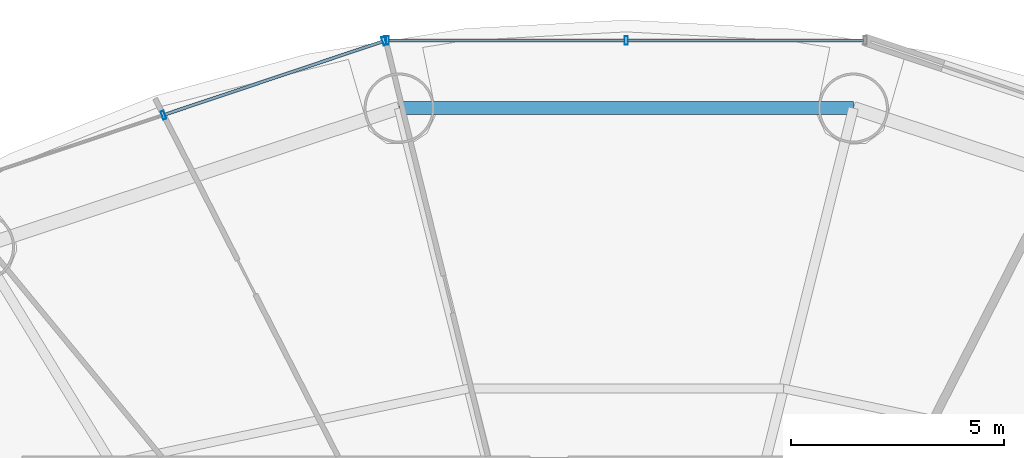
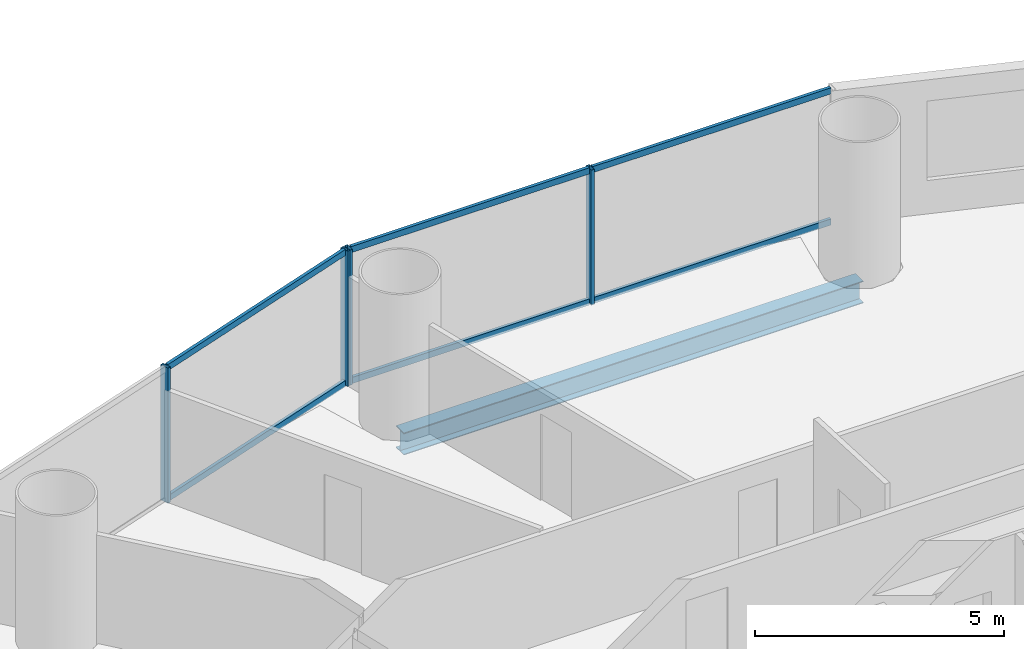
# One storey, part 17 of 29: 10 members, 1 beam, 2 elements without a shape of their own.
"""IFC4 building model written with IfcOpenShell, lengths in metres."""

from ifc_helpers import new_model, si_unit, direction, frame, origin, origin_2d, place, context, subcontext, project, spatial, hollow_rectangle, i_section, extrude, source, transform, mapped, material, material_profile, profile_set, type_object, element, aggregate, save


model = new_model("IFC4")

# Units and contexts
model_context = context("Model", 3, precision=1e-05, world=origin(), true_north=direction((-0.2419218956, 0.970295726276)))
body_context = subcontext(model_context, "Body", "Model", "MODEL_VIEW")
ifc_project = project(units=[si_unit("LENGTHUNIT", "METRE"), si_unit("AREAUNIT", "SQUARE_METRE"), si_unit("VOLUMEUNIT", "CUBIC_METRE"), si_unit("PLANEANGLEUNIT", "RADIAN"), si_unit("MASSUNIT", "GRAM", prefix="KILO")], contexts=[model_context])

# Site, building, storey
site_placement = place(None, origin())
site = spatial("IfcSite", under=ifc_project, at=site_placement, CompositionType="ELEMENT")
building_placement = place(site_placement, origin())
building = spatial("IfcBuilding", under=site, at=building_placement, Name="Cobrevalo Terracotta Tower", CompositionType="ELEMENT")
storey_placement = place(building_placement, frame((0.0, 0.0, 45.60009765625)))
storey = spatial("IfcBuildingStorey", under=building, at=storey_placement, Name="L11", CompositionType="ELEMENT", Elevation=45.60009765625)

# Beam
ifc_material_1 = material(Name="Steel S355", Category="steel")
ifc_material_profile_1 = material_profile(ifc_material_1, i_section(OverallWidth=0.31201171875, OverallDepth=0.54296875, WebThickness=0.0126953125, FlangeThickness=0.020263671875, at=origin_2d()), Name="W 530x150")
ifc_profile_set_1 = profile_set([ifc_material_profile_1], Name="Steel S355")
beam_type = type_object("IfcBeamType", Name="Structural Spandrel W 530x150 (Steel S355)", PredefinedType="SPANDREL", material=ifc_profile_set_1)
beam_placement = place(storey_placement, frame((43.335693359375, 48.230224609375, -0.551513671875), z_axis=(-1.0, 0.0, 0.0), x_axis=(0.0, -1.0, 0.0)))
element("IfcBeam", 1, at=beam_placement, inside=storey, type_object=beam_type, Name="L11 perimeter ring spandrel 04", PredefinedType="SPANDREL", context=body_context, shape_type="SweptSolid", body=[
    extrude(i_section(OverallWidth=0.31201171875, OverallDepth=0.54296875, WebThickness=0.0126953125, FlangeThickness=0.020263671875, at=origin_2d()), origin(), (0.0, 0.0, 1.0), 10.67138671875),
])

# Curtain wall, members
ifc_material_2 = material(Name="Anodized aluminium", Category="aluminium")
curtain_wall_type = type_object("IfcCurtainWallType", Name="Lower-tower unitised acoustic low-E curtain wall CW-U1", PredefinedType="NOTDEFINED", material=ifc_material_2)
curtain_wall_1_placement = place(storey_placement, origin())
curtain_wall_1 = element("IfcCurtainWall", 2, at=curtain_wall_1_placement, inside=storey, type_object=curtain_wall_type, Name="L11 curtain wall CW-L11-S05", PredefinedType="NOTDEFINED")
ifc_material_profile_2 = material_profile(ifc_material_2, hollow_rectangle(XDim=0.074951171875, YDim=0.14990234375, WallThickness=0.00439453125, at=origin_2d()), Name="CWT 75x150")
ifc_profile_set_2 = profile_set([ifc_material_profile_2], Name="Anodized aluminium")
member_type_1 = type_object("IfcMemberType", Name="Tower unitised aluminium transom 75x150", PredefinedType="USERDEFINED", material=ifc_profile_set_2)
shared_shape_1 = source(origin(), body_context, "Body", "SweptSolid", [
    extrude(hollow_rectangle(XDim=0.074951171875, YDim=0.14990234375, WallThickness=0.00439453125, at=origin_2d()), origin(), (0.0, 0.0, 1.0), 5.387939453125),
])
member_1_placement = place(storey_placement, frame((32.2724609375, 49.793701171875, 0.0498046875), z_axis=(-0.94804244582, -0.318143868278, 0.0), x_axis=(0.318143868278, -0.94804244582, 0.0)))
member_1 = element("IfcMember", 3, at=member_1_placement, type_object=member_type_1, Name="CW-L11-S05 transom B01-T1", ObjectType="TRANSOM", PredefinedType="USERDEFINED", context=body_context, shape_type="MappedRepresentation", body=[
    mapped(shared_shape_1, transform((0.0, 0.0, 0.0), scale=1.0)),
])
member_2_placement = place(storey_placement, frame((32.2724609375, 49.793701171875, 3.27001953125), z_axis=(-0.94804244582, -0.318143868278, 0.0), x_axis=(0.318143868278, -0.94804244582, 0.0)))
member_2 = element("IfcMember", 4, at=member_2_placement, type_object=member_type_1, Name="CW-L11-S05 transom B01-T2", ObjectType="TRANSOM", PredefinedType="USERDEFINED", context=body_context, shape_type="MappedRepresentation", body=[
    mapped(shared_shape_1, transform((0.0, 0.0, 0.0), scale=1.0)),
])

curtain_wall_2_placement = place(storey_placement, origin())
curtain_wall_2 = element("IfcCurtainWall", 5, at=curtain_wall_2_placement, inside=storey, type_object=curtain_wall_type, Name="L11 curtain wall CW-L11-S04", PredefinedType="NOTDEFINED")
shared_shape_2 = source(origin(), body_context, "Body", "SweptSolid", [
    extrude(hollow_rectangle(XDim=0.074951171875, YDim=0.14990234375, WallThickness=0.00439453125, at=origin_2d()), origin(), (0.0, 0.0, 1.0), 5.53173828125),
])
member_3_placement = place(storey_placement, frame((43.57177734375, 49.819091796875, 0.0498046875), z_axis=(-1.0, 0.0, 0.0), x_axis=(0.0, -1.0, 0.0)))
member_3 = element("IfcMember", 6, at=member_3_placement, type_object=member_type_1, Name="CW-L11-S04 transom B01-T1", ObjectType="TRANSOM", PredefinedType="USERDEFINED", context=body_context, shape_type="MappedRepresentation", body=[
    mapped(shared_shape_2, transform((0.0, 0.0, 0.0), scale=1.0)),
])
member_4_placement = place(storey_placement, frame((43.57177734375, 49.819091796875, 3.27001953125), z_axis=(-1.0, 0.0, 0.0), x_axis=(0.0, -1.0, 0.0)))
member_4 = element("IfcMember", 7, at=member_4_placement, type_object=member_type_1, Name="CW-L11-S04 transom B01-T2", ObjectType="TRANSOM", PredefinedType="USERDEFINED", context=body_context, shape_type="MappedRepresentation", body=[
    mapped(shared_shape_2, transform((0.0, 0.0, 0.0), scale=1.0)),
])
member_5_placement = place(storey_placement, frame((37.9599609375, 49.819091796875, 0.0498046875), z_axis=(-1.0, 0.0, 0.0), x_axis=(0.0, -1.0, 0.0)))
member_5 = element("IfcMember", 8, at=member_5_placement, type_object=member_type_1, Name="CW-L11-S04 transom B02-T1", ObjectType="TRANSOM", PredefinedType="USERDEFINED", context=body_context, shape_type="MappedRepresentation", body=[
    mapped(shared_shape_2, transform((0.0, 0.0, 0.0), scale=1.0)),
])
member_6_placement = place(storey_placement, frame((37.9599609375, 49.819091796875, 3.27001953125), z_axis=(-1.0, 0.0, 0.0), x_axis=(0.0, -1.0, 0.0)))
member_6 = element("IfcMember", 9, at=member_6_placement, type_object=member_type_1, Name="CW-L11-S04 transom B02-T2", ObjectType="TRANSOM", PredefinedType="USERDEFINED", context=body_context, shape_type="MappedRepresentation", body=[
    mapped(shared_shape_2, transform((0.0, 0.0, 0.0), scale=1.0)),
])
ifc_material_profile_3 = material_profile(ifc_material_2, hollow_rectangle(XDim=0.074951171875, YDim=0.199951171875, WallThickness=0.0048828125, at=origin_2d()), Name="CWM 75x200")
ifc_profile_set_3 = profile_set([ifc_material_profile_3], Name="Anodized aluminium")
member_type_2 = type_object("IfcMemberType", Name="Lower/mid tower unitised mullion 75x200", PredefinedType="MULLION", material=ifc_profile_set_3)
shared_shape_3 = source(origin(), body_context, "Body", "SweptSolid", [
    extrude(hollow_rectangle(XDim=0.074951171875, YDim=0.199951171875, WallThickness=0.0048828125, at=origin_2d()), origin(), (0.0, 0.0, 1.0), 3.31982421875),
])
member_7_placement = place(storey_placement, frame((38.0, 49.819091796875, 0.0), z_axis=(0.0, 0.0, 1.0), x_axis=(-1.0, 0.0, 0.0)))
member_7 = element("IfcMember", 10, at=member_7_placement, type_object=member_type_2, Name="CW-L11-S04 vertical mullion 02", PredefinedType="MULLION", context=body_context, shape_type="MappedRepresentation", body=[
    mapped(shared_shape_3, transform((0.0, 0.0, 0.0), scale=1.0)),
])
member_8_placement = place(storey_placement, frame((32.38818359375, 49.819091796875, 0.0), z_axis=(0.0, 0.0, 1.0), x_axis=(-1.0, 0.0, 0.0)))
member_8 = element("IfcMember", 11, at=member_8_placement, type_object=member_type_2, Name="CW-L11-S04 vertical mullion 03", PredefinedType="MULLION", context=body_context, shape_type="MappedRepresentation", body=[
    mapped(shared_shape_3, transform((0.0, 0.0, 0.0), scale=1.0)),
])
aggregate(curtain_wall_2, [member_7, member_8, member_3, member_4, member_5, member_6])

# Member
member_9_placement = place(storey_placement, frame((32.310302734375, 49.806396484375, 0.0), z_axis=(0.0, 0.0, 1.0), x_axis=(-0.948046393597, -0.318132103987, 0.0)))
member_9 = element("IfcMember", 12, at=member_9_placement, type_object=member_type_2, Name="CW-L11-S05 vertical mullion 01", PredefinedType="MULLION", context=body_context, shape_type="MappedRepresentation", body=[
    mapped(shared_shape_3, transform((0.0, 0.0, 0.0), scale=1.0)),
])

member_10_placement = place(storey_placement, frame((27.126708984375, 48.06689453125, 0.0), z_axis=(0.0, 0.0, 1.0), x_axis=(-0.948046393597, -0.318132103987, 0.0)))
member_10 = element("IfcMember", 13, at=member_10_placement, type_object=member_type_2, Name="CW-L11-S05 vertical mullion 02", PredefinedType="MULLION", context=body_context, shape_type="MappedRepresentation", body=[
    mapped(shared_shape_3, transform((0.0, 0.0, 0.0), scale=1.0)),
])

aggregate(curtain_wall_1, [member_9, member_10, member_1, member_2])

save(model, "model.ifc")
